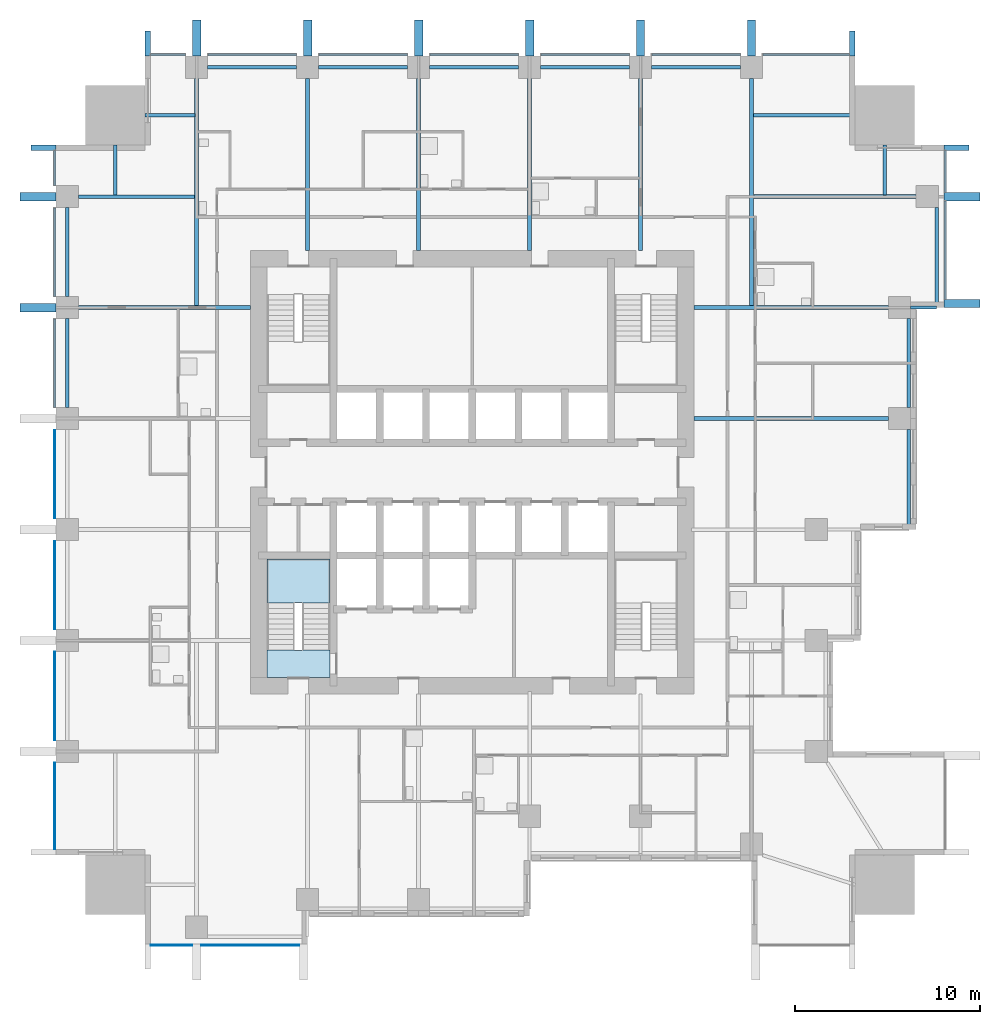
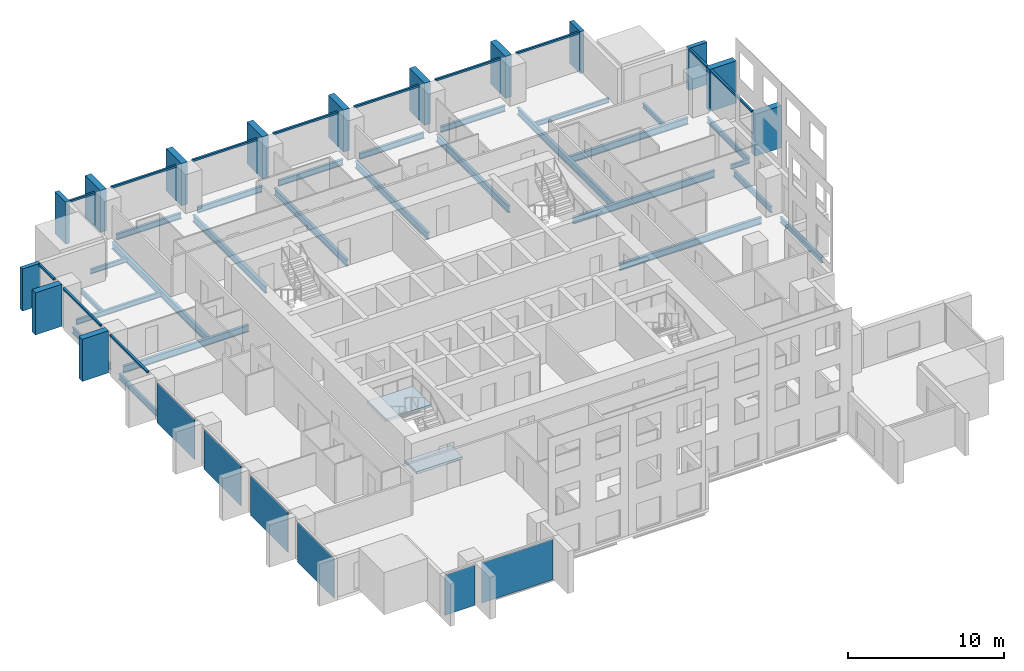
# One storey, part 2 of 11: 26 beams, 26 members, 6 plates, 2 slabs, 5 elements without a shape of their own.
"""IFC4 building model written with IfcOpenShell, lengths in metres."""

from ifc_helpers import new_model, si_unit, direction, frame, origin, origin_2d, place, context, subcontext, project, spatial, polyline, rectangle, i_section, outline, extrude, material, layer, layer_set, material_profile, profile_set, type_object, element, aggregate, save


model = new_model("IFC4")

# Units and contexts
model_context = context("Model", 3, precision=1e-05, world=origin(), true_north=direction((0.0, 1.0)))
body_context = subcontext(model_context, "Body", "Model", "MODEL_VIEW")
ifc_project = project(units=[si_unit("LENGTHUNIT", "METRE"), si_unit("AREAUNIT", "SQUARE_METRE"), si_unit("VOLUMEUNIT", "CUBIC_METRE"), si_unit("PLANEANGLEUNIT", "RADIAN"), si_unit("MASSUNIT", "GRAM", prefix="KILO")], contexts=[model_context])

# Site, building, storey
site_placement = place(None, origin())
site = spatial("IfcSite", under=ifc_project, at=site_placement, CompositionType="ELEMENT")
building_placement = place(site_placement, origin())
building = spatial("IfcBuilding", under=site, at=building_placement, Name="Amberfall Residences", CompositionType="ELEMENT")
storey_placement = place(building_placement, frame((0.0, 0.0, 33.39990234375)))
storey = spatial("IfcBuildingStorey", under=building, at=storey_placement, Name="L08", CompositionType="ELEMENT", Elevation=33.39990234375)

# Curtain wall, members
ifc_material_1 = material(Name="Bronze anodised aluminium and glass", Category="aluminium")
curtain_wall_type = type_object("IfcCurtainWallType", Name="Curtain wall CW1 tower unit", PredefinedType="USERDEFINED", material=ifc_material_1)
curtain_wall_1_placement = place(storey_placement, origin())
curtain_wall_1 = element("IfcCurtainWall", 1, at=curtain_wall_1_placement, inside=storey, type_object=curtain_wall_type, Name="Curtain wall L08 E E10", ObjectType="UNITISED CURTAIN WALL", PredefinedType="USERDEFINED")
ifc_material_2 = material(Name="Bronze anodised aluminium", Category="aluminium")
ifc_material_profile_1 = material_profile(ifc_material_2, rectangle(XDim=0.14990234375, YDim=0.14990234375, at=origin_2d()), Name="CW1 transom 150 x 150 bronze")
ifc_profile_set_1 = profile_set([ifc_material_profile_1], Name="Bronze anodised aluminium")
member_type_1 = type_object("IfcMemberType", Name="CW1 transom 150 x 150 bronze", PredefinedType="USERDEFINED", material=ifc_profile_set_1)
member_1_placement = place(storey_placement, frame((100.074951171875, 54.85009765625, 2.97509765625), z_axis=(0.0, 1.0, 0.0), x_axis=(-1.0, 0.0, 0.0)))
member_1 = element("IfcMember", 2, at=member_1_placement, type_object=member_type_1, Name="CW1 transom 1.1", ObjectType="TRANSOM", PredefinedType="USERDEFINED", context=body_context, shape_type="SweptSolid", body=[
    extrude(rectangle(XDim=0.14990234375, YDim=0.14990234375, at=origin_2d()), origin(), (0.0, 0.0, 1.0), 5.324951171875),
])
member_2_placement = place(storey_placement, frame((100.074951171875, 60.625, 2.97509765625), z_axis=(0.0, 1.0, 0.0), x_axis=(-1.0, 0.0, 0.0)))
member_2 = element("IfcMember", 3, at=member_2_placement, type_object=member_type_1, Name="CW1 transom 2.1", ObjectType="TRANSOM", PredefinedType="USERDEFINED", context=body_context, shape_type="SweptSolid", body=[
    extrude(rectangle(XDim=0.14990234375, YDim=0.14990234375, at=origin_2d()), origin(), (0.0, 0.0, 1.0), 2.27490234375),
])

curtain_wall_2_placement = place(storey_placement, origin())
curtain_wall_2 = element("IfcCurtainWall", 4, at=curtain_wall_2_placement, inside=storey, type_object=curtain_wall_type, Name="Curtain wall L08 N N1", ObjectType="UNITISED CURTAIN WALL", PredefinedType="USERDEFINED")
member_3_placement = place(storey_placement, frame((94.89990234375, 68.074951171875, 2.97509765625), z_axis=(-1.0, 0.0, 0.0), x_axis=(0.0, -1.0, 0.0)))
member_3 = element("IfcMember", 5, at=member_3_placement, type_object=member_type_1, Name="CW1 transom 1.1", ObjectType="TRANSOM", PredefinedType="USERDEFINED", context=body_context, shape_type="SweptSolid", body=[
    extrude(rectangle(XDim=0.14990234375, YDim=0.14990234375, at=origin_2d()), origin(), (0.0, 0.0, 1.0), 4.69482421875),
])
member_4_placement = place(storey_placement, frame((88.9951171875, 68.074951171875, 2.97509765625), z_axis=(-1.0, 0.0, 0.0), x_axis=(0.0, -1.0, 0.0)))
member_4 = element("IfcMember", 6, at=member_4_placement, type_object=member_type_1, Name="CW1 transom 2.1", ObjectType="TRANSOM", PredefinedType="USERDEFINED", context=body_context, shape_type="SweptSolid", body=[
    extrude(rectangle(XDim=0.14990234375, YDim=0.14990234375, at=origin_2d()), origin(), (0.0, 0.0, 1.0), 4.7900390625),
])
member_5_placement = place(storey_placement, frame((82.9951171875, 68.074951171875, 2.97509765625), z_axis=(-1.0, 0.0, 0.0), x_axis=(0.0, -1.0, 0.0)))
member_5 = element("IfcMember", 7, at=member_5_placement, type_object=member_type_1, Name="CW1 transom 3.1", ObjectType="TRANSOM", PredefinedType="USERDEFINED", context=body_context, shape_type="SweptSolid", body=[
    extrude(rectangle(XDim=0.14990234375, YDim=0.14990234375, at=origin_2d()), origin(), (0.0, 0.0, 1.0), 4.7900390625),
])
member_6_placement = place(storey_placement, frame((76.9951171875, 68.074951171875, 2.97509765625), z_axis=(-1.0, 0.0, 0.0), x_axis=(0.0, -1.0, 0.0)))
member_6 = element("IfcMember", 8, at=member_6_placement, type_object=member_type_1, Name="CW1 transom 4.1", ObjectType="TRANSOM", PredefinedType="USERDEFINED", context=body_context, shape_type="SweptSolid", body=[
    extrude(rectangle(XDim=0.14990234375, YDim=0.14990234375, at=origin_2d()), origin(), (0.0, 0.0, 1.0), 4.7900390625),
])
member_7_placement = place(storey_placement, frame((70.9951171875, 68.074951171875, 2.97509765625), z_axis=(-1.0, 0.0, 0.0), x_axis=(0.0, -1.0, 0.0)))
member_7 = element("IfcMember", 9, at=member_7_placement, type_object=member_type_1, Name="CW1 transom 5.1", ObjectType="TRANSOM", PredefinedType="USERDEFINED", context=body_context, shape_type="SweptSolid", body=[
    extrude(rectangle(XDim=0.14990234375, YDim=0.14990234375, at=origin_2d()), origin(), (0.0, 0.0, 1.0), 4.7900390625),
])
member_8_placement = place(storey_placement, frame((64.9951171875, 68.074951171875, 2.97509765625), z_axis=(-1.0, 0.0, 0.0), x_axis=(0.0, -1.0, 0.0)))
member_8 = element("IfcMember", 10, at=member_8_placement, type_object=member_type_1, Name="CW1 transom 6.1", ObjectType="TRANSOM", PredefinedType="USERDEFINED", context=body_context, shape_type="SweptSolid", body=[
    extrude(rectangle(XDim=0.14990234375, YDim=0.14990234375, at=origin_2d()), origin(), (0.0, 0.0, 1.0), 4.7900390625),
])
member_9_placement = place(storey_placement, frame((58.9951171875, 68.074951171875, 2.97509765625), z_axis=(-1.0, 0.0, 0.0), x_axis=(0.0, -1.0, 0.0)))
member_9 = element("IfcMember", 11, at=member_9_placement, type_object=member_type_1, Name="CW1 transom 7.1", ObjectType="TRANSOM", PredefinedType="USERDEFINED", context=body_context, shape_type="SweptSolid", body=[
    extrude(rectangle(XDim=0.14990234375, YDim=0.14990234375, at=origin_2d()), origin(), (0.0, 0.0, 1.0), 1.89501953125),
])

curtain_wall_3_placement = place(storey_placement, origin())
curtain_wall_3 = element("IfcCurtainWall", 12, at=curtain_wall_3_placement, inside=storey, type_object=curtain_wall_type, Name="Curtain wall L08 W W1", ObjectType="UNITISED CURTAIN WALL", PredefinedType="USERDEFINED")
member_10_placement = place(storey_placement, frame((51.925048828125, 62.89990234375, 2.97509765625), z_axis=(0.0, -1.0, 0.0), x_axis=(1.0, 0.0, 0.0)))
member_10 = element("IfcMember", 13, at=member_10_placement, type_object=member_type_1, Name="CW1 transom 1.1", ObjectType="TRANSOM", PredefinedType="USERDEFINED", context=body_context, shape_type="SweptSolid", body=[
    extrude(rectangle(XDim=0.14990234375, YDim=0.14990234375, at=origin_2d()), origin(), (0.0, 0.0, 1.0), 1.89501953125),
])
member_11_placement = place(storey_placement, frame((51.925048828125, 59.794921875, 2.97509765625), z_axis=(0.0, -1.0, 0.0), x_axis=(1.0, 0.0, 0.0)))
member_11 = element("IfcMember", 14, at=member_11_placement, type_object=member_type_1, Name="CW1 transom 2.1", ObjectType="TRANSOM", PredefinedType="USERDEFINED", context=body_context, shape_type="SweptSolid", body=[
    extrude(rectangle(XDim=0.14990234375, YDim=0.14990234375, at=origin_2d()), origin(), (0.0, 0.0, 1.0), 4.7900390625),
])
member_12_placement = place(storey_placement, frame((51.925048828125, 53.794921875, 2.97509765625), z_axis=(0.0, -1.0, 0.0), x_axis=(1.0, 0.0, 0.0)))
member_12 = element("IfcMember", 15, at=member_12_placement, type_object=member_type_1, Name="CW1 transom 3.1", ObjectType="TRANSOM", PredefinedType="USERDEFINED", context=body_context, shape_type="SweptSolid", body=[
    extrude(rectangle(XDim=0.14990234375, YDim=0.14990234375, at=origin_2d()), origin(), (0.0, 0.0, 1.0), 4.7900390625),
])

# Beam
ifc_material_3 = material(Name="Steel S355", Category="steel")
ifc_material_profile_2 = material_profile(ifc_material_3, i_section(OverallWidth=0.171142578125, OverallDepth=0.351318359375, WebThickness=0.007080078125, FlangeThickness=0.009765625, FilletRadius=0.01025390625, at=origin_2d()), Name="UB 356x171x45")
ifc_profile_set_2 = profile_set([ifc_material_profile_2], Name="Steel S355")
beam_type_1 = type_object("IfcBeamType", Name="Cantilever girder UB 356x171x45", PredefinedType="BEAM", material=ifc_profile_set_2)
beam_1_placement = place(storey_placement, frame((98.199951171875, 54.39990234375, -0.425537109375), z_axis=(1.0, 0.0, 0.0), x_axis=(0.0, 1.0, 0.0)))
element("IfcBeam", 16, at=beam_1_placement, inside=storey, type_object=beam_type_1, Name="Cantilever girder B8 L08 22", PredefinedType="BEAM", context=body_context, shape_type="SweptSolid", body=[
    extrude(i_section(OverallWidth=0.171142578125, OverallDepth=0.351318359375, WebThickness=0.007080078125, FlangeThickness=0.009765625, FilletRadius=0.01025390625, at=origin_2d()), origin(), (0.0, 0.0, 1.0), 1.400146484375),
])

# Member
ifc_material_profile_3 = material_profile(ifc_material_2, rectangle(XDim=1.35009765625, YDim=0.300048828125, at=origin_2d()), Name="Corner fin 300 x 1350 bronze")
ifc_profile_set_3 = profile_set([ifc_material_profile_3], Name="Bronze anodised aluminium")
member_type_2 = type_object("IfcMemberType", Name="Corner fin 300 x 1350 bronze", PredefinedType="MULLION", material=ifc_profile_set_3)
member_13_placement = place(storey_placement, frame((100.675048828125, 63.050048828125, -0.25), z_axis=(0.0, 0.0, 1.0), x_axis=(-1.0, 0.0, 0.0)))
member_13 = element("IfcMember", 17, at=member_13_placement, type_object=member_type_2, Name="CW FIN 3", PredefinedType="MULLION", context=body_context, shape_type="SweptSolid", body=[
    extrude(rectangle(XDim=1.35009765625, YDim=0.300048828125, at=origin_2d()), origin(), (0.0, 0.0, 1.0), 3.300048828125),
])

member_14_placement = place(storey_placement, frame((95.050048828125, 68.675048828125, -0.25), z_axis=(0.0, 0.0, 1.0), x_axis=(0.0, -1.0, 0.0)))
member_14 = element("IfcMember", 18, at=member_14_placement, type_object=member_type_2, Name="CW FIN 1", PredefinedType="MULLION", context=body_context, shape_type="SweptSolid", body=[
    extrude(rectangle(XDim=1.35009765625, YDim=0.300048828125, at=origin_2d()), origin(), (0.0, 0.0, 1.0), 3.300048828125),
])

member_15_placement = place(storey_placement, frame((56.949951171875, 68.675048828125, -0.25), z_axis=(0.0, 0.0, 1.0), x_axis=(0.0, -1.0, 0.0)))
member_15 = element("IfcMember", 19, at=member_15_placement, type_object=member_type_2, Name="CW FIN 8", PredefinedType="MULLION", context=body_context, shape_type="SweptSolid", body=[
    extrude(rectangle(XDim=1.35009765625, YDim=0.300048828125, at=origin_2d()), origin(), (0.0, 0.0, 1.0), 3.300048828125),
])

member_16_placement = place(storey_placement, frame((51.324951171875, 63.050048828125, -0.25), z_axis=(0.0, 0.0, 1.0), x_axis=(1.0, 0.0, 0.0)))
member_16 = element("IfcMember", 20, at=member_16_placement, type_object=member_type_2, Name="CW FIN 1", PredefinedType="MULLION", context=body_context, shape_type="SweptSolid", body=[
    extrude(rectangle(XDim=1.35009765625, YDim=0.300048828125, at=origin_2d()), origin(), (0.0, 0.0, 1.0), 3.300048828125),
])

# Beams
ifc_material_profile_4 = material_profile(ifc_material_3, i_section(OverallWidth=0.18994140625, OverallDepth=0.453369140625, WebThickness=0.008544921875, FlangeThickness=0.0126953125, FilletRadius=0.01025390625, at=origin_2d()), Name="UB 457x191x67")
ifc_profile_set_4 = profile_set([ifc_material_profile_4], Name="Steel S355")
beam_type_2 = type_object("IfcBeamType", Name="Edge beam UB 457x191x67", PredefinedType="SPANDREL", material=ifc_profile_set_4)
beam_2_placement = place(storey_placement, frame((98.10009765625, 42.47998046875, -0.4765625), z_axis=(0.0, 1.0, 0.0), x_axis=(-1.0, 0.0, 0.0)))
element("IfcBeam", 21, at=beam_2_placement, inside=storey, type_object=beam_type_2, Name="Edge beam B1 L08 17", PredefinedType="SPANDREL", context=body_context, shape_type="SweptSolid", body=[
    extrude(i_section(OverallWidth=0.18994140625, OverallDepth=0.453369140625, WebThickness=0.008544921875, FlangeThickness=0.0126953125, FilletRadius=0.01025390625, at=origin_2d()), origin(), (0.0, 0.0, 1.0), 5.320068359375),
])
beam_3_placement = place(storey_placement, frame((98.10009765625, 49.0, -0.4765625), z_axis=(0.0, 1.0, 0.0), x_axis=(-1.0, 0.0, 0.0)))
element("IfcBeam", 22, at=beam_3_placement, inside=storey, type_object=beam_type_2, Name="Edge beam B1 L08 18", PredefinedType="SPANDREL", context=body_context, shape_type="SweptSolid", body=[
    extrude(i_section(OverallWidth=0.18994140625, OverallDepth=0.453369140625, WebThickness=0.008544921875, FlangeThickness=0.0126953125, FilletRadius=0.01025390625, at=origin_2d()), origin(), (0.0, 0.0, 1.0), 4.800048828125),
])
beam_4_placement = place(storey_placement, frame((99.60009765625, 54.47998046875, -0.4765625), z_axis=(0.0, 1.0, 0.0), x_axis=(-1.0, 0.0, 0.0)))
element("IfcBeam", 23, at=beam_4_placement, inside=storey, type_object=beam_type_2, Name="Edge beam B1 L08 19", PredefinedType="SPANDREL", context=body_context, shape_type="SweptSolid", body=[
    extrude(i_section(OverallWidth=0.18994140625, OverallDepth=0.453369140625, WebThickness=0.008544921875, FlangeThickness=0.0126953125, FilletRadius=0.01025390625, at=origin_2d()), origin(), (0.0, 0.0, 1.0), 5.320068359375),
])
for number, where, z_axis, x_axis, name in (
    (24, (60.199951171875, 67.39990234375, -0.4765625), (1.0, 0.0, 0.0), (0.0, 1.0, 0.0), "Edge beam B1 L08 29"),
    (25, (66.199951171875, 67.39990234375, -0.4765625), (1.0, 0.0, 0.0), (0.0, 1.0, 0.0), "Edge beam B1 L08 30"),
    (26, (72.199951171875, 67.39990234375, -0.4765625), (1.0, 0.0, 0.0), (0.0, 1.0, 0.0), "Edge beam B1 L08 31"),
    (27, (78.199951171875, 67.39990234375, -0.4765625), (1.0, 0.0, 0.0), (0.0, 1.0, 0.0), "Edge beam B1 L08 32"),
    (28, (84.199951171875, 67.39990234375, -0.4765625), (1.0, 0.0, 0.0), (0.0, 1.0, 0.0), "Edge beam B1 L08 33"),
    (29, (52.60009765625, 49.0, -0.4765625), (0.0, 1.0, 0.0), (-1.0, 0.0, 0.0), "Edge beam B1 L08 43"),
    (30, (52.60009765625, 55.0, -0.4765625), (0.0, 1.0, 0.0), (-1.0, 0.0, 0.0), "Edge beam B1 L08 44"),
):
    element("IfcBeam", number, at=place(storey_placement, frame(where, z_axis=z_axis, x_axis=x_axis)), inside=storey, type_object=beam_type_2, Name=name, PredefinedType="SPANDREL", context=body_context, shape_type="SweptSolid", body=[
        extrude(i_section(OverallWidth=0.18994140625, OverallDepth=0.453369140625, WebThickness=0.008544921875, FlangeThickness=0.0126953125, FilletRadius=0.01025390625, at=origin_2d()), origin(), (0.0, 0.0, 1.0), 4.800048828125),
    ])

# Member
ifc_material_profile_5 = material_profile(ifc_material_2, rectangle(XDim=1.949951171875, YDim=0.449951171875, at=origin_2d()), Name="Fin 450 x 1950 bronze")
ifc_profile_set_5 = profile_set([ifc_material_profile_5], Name="Bronze anodised aluminium")
member_type_3 = type_object("IfcMemberType", Name="Fin 450 x 1950 bronze", PredefinedType="MULLION", material=ifc_profile_set_5)
member_17_placement = place(storey_placement, frame((100.97509765625, 54.625, -0.25), z_axis=(0.0, 0.0, 1.0), x_axis=(-1.0, 0.0, 0.0)))
member_17 = element("IfcMember", 31, at=member_17_placement, type_object=member_type_3, Name="CW FIN 1", PredefinedType="MULLION", context=body_context, shape_type="SweptSolid", body=[
    extrude(rectangle(XDim=1.949951171875, YDim=0.449951171875, at=origin_2d()), origin(), (0.0, 0.0, 1.0), 3.300048828125),
])

member_18_placement = place(storey_placement, frame((100.97509765625, 60.39990234375, -0.25), z_axis=(0.0, 0.0, 1.0), x_axis=(-1.0, 0.0, 0.0)))
member_18 = element("IfcMember", 32, at=member_18_placement, type_object=member_type_3, Name="CW FIN 2", PredefinedType="MULLION", context=body_context, shape_type="SweptSolid", body=[
    extrude(rectangle(XDim=1.949951171875, YDim=0.449951171875, at=origin_2d()), origin(), (0.0, 0.0, 1.0), 3.300048828125),
])

aggregate(curtain_wall_1, [member_17, member_18, member_13, member_1, member_2])

member_19_placement = place(storey_placement, frame((89.60009765625, 68.97509765625, -0.25), z_axis=(0.0, 0.0, 1.0), x_axis=(0.0, -1.0, 0.0)))
member_19 = element("IfcMember", 33, at=member_19_placement, type_object=member_type_3, Name="CW FIN 2", PredefinedType="MULLION", context=body_context, shape_type="SweptSolid", body=[
    extrude(rectangle(XDim=1.949951171875, YDim=0.449951171875, at=origin_2d()), origin(), (0.0, 0.0, 1.0), 3.300048828125),
])

member_20_placement = place(storey_placement, frame((83.60009765625, 68.97509765625, -0.25), z_axis=(0.0, 0.0, 1.0), x_axis=(0.0, -1.0, 0.0)))
member_20 = element("IfcMember", 34, at=member_20_placement, type_object=member_type_3, Name="CW FIN 3", PredefinedType="MULLION", context=body_context, shape_type="SweptSolid", body=[
    extrude(rectangle(XDim=1.949951171875, YDim=0.449951171875, at=origin_2d()), origin(), (0.0, 0.0, 1.0), 3.300048828125),
])

member_21_placement = place(storey_placement, frame((77.60009765625, 68.97509765625, -0.25), z_axis=(0.0, 0.0, 1.0), x_axis=(0.0, -1.0, 0.0)))
member_21 = element("IfcMember", 35, at=member_21_placement, type_object=member_type_3, Name="CW FIN 4", PredefinedType="MULLION", context=body_context, shape_type="SweptSolid", body=[
    extrude(rectangle(XDim=1.949951171875, YDim=0.449951171875, at=origin_2d()), origin(), (0.0, 0.0, 1.0), 3.300048828125),
])

member_22_placement = place(storey_placement, frame((71.60009765625, 68.97509765625, -0.25), z_axis=(0.0, 0.0, 1.0), x_axis=(0.0, -1.0, 0.0)))
member_22 = element("IfcMember", 36, at=member_22_placement, type_object=member_type_3, Name="CW FIN 5", PredefinedType="MULLION", context=body_context, shape_type="SweptSolid", body=[
    extrude(rectangle(XDim=1.949951171875, YDim=0.449951171875, at=origin_2d()), origin(), (0.0, 0.0, 1.0), 3.300048828125),
])

member_23_placement = place(storey_placement, frame((65.60009765625, 68.97509765625, -0.25), z_axis=(0.0, 0.0, 1.0), x_axis=(0.0, -1.0, 0.0)))
member_23 = element("IfcMember", 37, at=member_23_placement, type_object=member_type_3, Name="CW FIN 6", PredefinedType="MULLION", context=body_context, shape_type="SweptSolid", body=[
    extrude(rectangle(XDim=1.949951171875, YDim=0.449951171875, at=origin_2d()), origin(), (0.0, 0.0, 1.0), 3.300048828125),
])

member_24_placement = place(storey_placement, frame((59.60009765625, 68.97509765625, -0.25), z_axis=(0.0, 0.0, 1.0), x_axis=(0.0, -1.0, 0.0)))
member_24 = element("IfcMember", 38, at=member_24_placement, type_object=member_type_3, Name="CW FIN 7", PredefinedType="MULLION", context=body_context, shape_type="SweptSolid", body=[
    extrude(rectangle(XDim=1.949951171875, YDim=0.449951171875, at=origin_2d()), origin(), (0.0, 0.0, 1.0), 3.300048828125),
])

aggregate(curtain_wall_2, [member_14, member_19, member_20, member_21, member_22, member_23, member_24, member_15, member_3, member_4, member_5, member_6, member_7, member_8, member_9])

member_25_placement = place(storey_placement, frame((51.02490234375, 60.39990234375, -0.25), z_axis=(0.0, 0.0, 1.0), x_axis=(1.0, 0.0, 0.0)))
member_25 = element("IfcMember", 39, at=member_25_placement, type_object=member_type_3, Name="CW FIN 2", PredefinedType="MULLION", context=body_context, shape_type="SweptSolid", body=[
    extrude(rectangle(XDim=1.949951171875, YDim=0.449951171875, at=origin_2d()), origin(), (0.0, 0.0, 1.0), 3.300048828125),
])

member_26_placement = place(storey_placement, frame((51.02490234375, 54.39990234375, -0.25), z_axis=(0.0, 0.0, 1.0), x_axis=(1.0, 0.0, 0.0)))
member_26 = element("IfcMember", 40, at=member_26_placement, type_object=member_type_3, Name="CW FIN 3", PredefinedType="MULLION", context=body_context, shape_type="SweptSolid", body=[
    extrude(rectangle(XDim=1.949951171875, YDim=0.449951171875, at=origin_2d()), origin(), (0.0, 0.0, 1.0), 3.300048828125),
])

# Beams
ifc_material_profile_6 = material_profile(ifc_material_3, i_section(OverallWidth=0.177734375, OverallDepth=0.402587890625, WebThickness=0.0078125, FlangeThickness=0.010986328125, FilletRadius=0.01025390625, at=origin_2d()), Name="UB 406x178x54")
ifc_profile_set_6 = profile_set([ifc_material_profile_6], Name="Steel S355")
beam_type_3 = type_object("IfcBeamType", Name="Floor girder UB 406x178x54", PredefinedType="BEAM", material=ifc_profile_set_6)
beam_5_placement = place(storey_placement, frame((53.199951171875, 60.39990234375, -0.451171875), z_axis=(1.0, 0.0, 0.0), x_axis=(0.0, 1.0, 0.0)))
element("IfcBeam", 41, at=beam_5_placement, inside=storey, type_object=beam_type_3, Name="Floor girder B4 L08 50", PredefinedType="BEAM", context=body_context, shape_type="SweptSolid", body=[
    extrude(i_section(OverallWidth=0.177734375, OverallDepth=0.402587890625, WebThickness=0.0078125, FlangeThickness=0.010986328125, FilletRadius=0.01025390625, at=origin_2d()), origin(), (0.0, 0.0, 1.0), 6.280029296875),
])
ifc_material_profile_7 = material_profile(ifc_material_3, i_section(OverallWidth=0.210693359375, OverallDepth=0.53955078125, WebThickness=0.01171875, FlangeThickness=0.018798828125, FilletRadius=0.0126953125, at=origin_2d()), Name="UB 533x210x109")
ifc_profile_set_7 = profile_set([ifc_material_profile_7], Name="Steel S355")
beam_type_4 = type_object("IfcBeamType", Name="Floor girder UB 533x210x109", PredefinedType="BEAM", material=ifc_profile_set_7)
for number, where, z_axis, x_axis, name in (
    (42, (59.60009765625, 66.800048828125, -0.51953125), (0.0, -1.0, 0.0), (1.0, 0.0, 0.0), "Floor girder B2 L08 34"),
    (43, (89.60009765625, 66.800048828125, -0.51953125), (0.0, -1.0, 0.0), (1.0, 0.0, 0.0), "Floor girder B2 L08 39"),
):
    element("IfcBeam", number, at=place(storey_placement, frame(where, z_axis=z_axis, x_axis=x_axis)), inside=storey, type_object=beam_type_4, Name=name, PredefinedType="BEAM", context=body_context, shape_type="SweptSolid", body=[
        extrude(i_section(OverallWidth=0.210693359375, OverallDepth=0.53955078125, WebThickness=0.01171875, FlangeThickness=0.018798828125, FilletRadius=0.0126953125, at=origin_2d()), origin(), (0.0, 0.0, 1.0), 12.300537109375),
    ])
ifc_material_profile_8 = material_profile(ifc_material_3, i_section(OverallWidth=0.209228515625, OverallDepth=0.533203125, WebThickness=0.010009765625, FlangeThickness=0.015625, FilletRadius=0.0126953125, at=origin_2d()), Name="UB 533x210x92")
ifc_profile_set_8 = profile_set([ifc_material_profile_8], Name="Steel S355")
beam_type_5 = type_object("IfcBeamType", Name="Floor girder UB 533x210x92", PredefinedType="BEAM", material=ifc_profile_set_8)
for number, where, z_axis, x_axis, name in (
    (44, (97.0, 48.39990234375, -0.516357421875), (-1.0, 0.0, 0.0), (0.0, -1.0, 0.0), "Floor girder B3 L08 26"),
    (45, (97.0, 54.39990234375, -0.516357421875), (-1.0, 0.0, 0.0), (0.0, -1.0, 0.0), "Floor girder B3 L08 27"),
):
    element("IfcBeam", number, at=place(storey_placement, frame(where, z_axis=z_axis, x_axis=x_axis)), inside=storey, type_object=beam_type_5, Name=name, PredefinedType="BEAM", context=body_context, shape_type="SweptSolid", body=[
        extrude(i_section(OverallWidth=0.209228515625, OverallDepth=0.533203125, WebThickness=0.010009765625, FlangeThickness=0.015625, FilletRadius=0.0126953125, at=origin_2d()), origin(), (0.0, 0.0, 1.0), 10.5),
    ])
beam_6_placement = place(storey_placement, frame((98.5, 60.39990234375, -0.516357421875), z_axis=(-1.0, 0.0, 0.0), x_axis=(0.0, -1.0, 0.0)))
element("IfcBeam", 46, at=beam_6_placement, inside=storey, type_object=beam_type_5, Name="Floor girder B3 L08 28", PredefinedType="BEAM", context=body_context, shape_type="SweptSolid", body=[
    extrude(i_section(OverallWidth=0.209228515625, OverallDepth=0.533203125, WebThickness=0.010009765625, FlangeThickness=0.015625, FilletRadius=0.0126953125, at=origin_2d()), origin(), (0.0, 0.0, 1.0), 8.780029296875),
])
for number, where, z_axis, x_axis, name in (
    (47, (65.60009765625, 66.800048828125, -0.516357421875), (0.0, -1.0, 0.0), (1.0, 0.0, 0.0), "Floor girder B3 L08 35"),
    (48, (71.60009765625, 66.800048828125, -0.516357421875), (0.0, -1.0, 0.0), (1.0, 0.0, 0.0), "Floor girder B3 L08 36"),
    (49, (77.60009765625, 66.800048828125, -0.516357421875), (0.0, -1.0, 0.0), (1.0, 0.0, 0.0), "Floor girder B3 L08 37"),
    (50, (83.60009765625, 66.800048828125, -0.516357421875), (0.0, -1.0, 0.0), (1.0, 0.0, 0.0), "Floor girder B3 L08 38"),
    (51, (53.199951171875, 54.39990234375, -0.516357421875), (1.0, 0.0, 0.0), (0.0, 1.0, 0.0), "Floor girder B3 L08 49"),
):
    element("IfcBeam", number, at=place(storey_placement, frame(where, z_axis=z_axis, x_axis=x_axis)), inside=storey, type_object=beam_type_5, Name=name, PredefinedType="BEAM", context=body_context, shape_type="SweptSolid", body=[
        extrude(i_section(OverallWidth=0.209228515625, OverallDepth=0.533203125, WebThickness=0.010009765625, FlangeThickness=0.015625, FilletRadius=0.0126953125, at=origin_2d()), origin(), (0.0, 0.0, 1.0), 9.300048828125),
    ])
ifc_material_profile_9 = material_profile(ifc_material_3, i_section(OverallWidth=0.171142578125, OverallDepth=0.351318359375, WebThickness=0.007080078125, FlangeThickness=0.009765625, FilletRadius=0.01025390625, at=origin_2d()), Name="UB 356x171x45")
ifc_profile_set_9 = profile_set([ifc_material_profile_9], Name="Steel S355")
beam_type_6 = type_object("IfcBeamType", Name="Link beam UB 356x171x45", PredefinedType="BEAM", material=ifc_profile_set_9)
beam_7_placement = place(storey_placement, frame((95.199951171875, 64.800048828125, -0.425537109375), z_axis=(-1.0, 0.0, 0.0), x_axis=(0.0, -1.0, 0.0)))
element("IfcBeam", 52, at=beam_7_placement, inside=storey, type_object=beam_type_6, Name="Link beam B7 L08 55", PredefinedType="BEAM", context=body_context, shape_type="SweptSolid", body=[
    extrude(i_section(OverallWidth=0.171142578125, OverallDepth=0.351318359375, WebThickness=0.007080078125, FlangeThickness=0.009765625, FilletRadius=0.01025390625, at=origin_2d()), origin(), (0.0, 0.0, 1.0), 5.504638671875),
])
beam_8_placement = place(storey_placement, frame((96.800048828125, 63.199951171875, -0.425537109375), z_axis=(0.0, -1.0, 0.0), x_axis=(1.0, 0.0, 0.0)))
element("IfcBeam", 53, at=beam_8_placement, inside=storey, type_object=beam_type_6, Name="Link beam B7 L08 56", PredefinedType="BEAM", context=body_context, shape_type="SweptSolid", body=[
    extrude(i_section(OverallWidth=0.171142578125, OverallDepth=0.351318359375, WebThickness=0.007080078125, FlangeThickness=0.009765625, FilletRadius=0.01025390625, at=origin_2d()), origin(), (0.0, 0.0, 1.0), 2.705322265625),
])
beam_9_placement = place(storey_placement, frame((56.800048828125, 64.800048828125, -0.425537109375), z_axis=(1.0, 0.0, 0.0), x_axis=(0.0, 1.0, 0.0)))
element("IfcBeam", 54, at=beam_9_placement, inside=storey, type_object=beam_type_6, Name="Link beam B7 L08 57", PredefinedType="BEAM", context=body_context, shape_type="SweptSolid", body=[
    extrude(i_section(OverallWidth=0.171142578125, OverallDepth=0.351318359375, WebThickness=0.007080078125, FlangeThickness=0.009765625, FilletRadius=0.01025390625, at=origin_2d()), origin(), (0.0, 0.0, 1.0), 2.70458984375),
])
beam_10_placement = place(storey_placement, frame((55.199951171875, 63.199951171875, -0.425537109375), z_axis=(0.0, -1.0, 0.0), x_axis=(1.0, 0.0, 0.0)))
element("IfcBeam", 55, at=beam_10_placement, inside=storey, type_object=beam_type_6, Name="Link beam B7 L08 58", PredefinedType="BEAM", context=body_context, shape_type="SweptSolid", body=[
    extrude(i_section(OverallWidth=0.171142578125, OverallDepth=0.351318359375, WebThickness=0.007080078125, FlangeThickness=0.009765625, FilletRadius=0.01025390625, at=origin_2d()), origin(), (0.0, 0.0, 1.0), 2.720947265625),
])

# Curtain wall, plates
curtain_wall_4_placement = place(storey_placement, origin())
curtain_wall_4 = element("IfcCurtainWall", 56, at=curtain_wall_4_placement, inside=storey, type_object=curtain_wall_type, Name="Curtain wall L08 S S1", ObjectType="UNITISED CURTAIN WALL", PredefinedType="USERDEFINED")
ifc_material_4 = material(Name="Tinted double glazed unit", Category="glass")
ifc_layer_1 = layer(ifc_material_4, 0.035888671875)
ifc_layer_set_1 = layer_set([ifc_layer_1], Name="CW1 panel 36 glazing")
plate_type = type_object("IfcPlateType", Name="CW1 panel 36 glazing", PredefinedType="CURTAIN_PANEL", material=ifc_layer_set_1)
plate_1_placement = place(storey_placement, frame((58.237548828125, 19.925048828125, -0.249755859375), z_axis=(0.0, 0.0, 1.0), x_axis=(1.0, 0.0, 0.0)))
plate_1 = element("IfcPlate", 57, at=plate_1_placement, type_object=plate_type, Name="CW1 panel 1.1", PredefinedType="CURTAIN_PANEL", context=body_context, shape_type="SweptSolid", body=[
    extrude(rectangle(XDim=2.2509765625, YDim=0.035888671875, at=origin_2d()), origin(), (0.0, 0.0, 1.0), 3.14990234375),
])
plate_2_placement = place(storey_placement, frame((62.487548828125, 19.925048828125, -0.249755859375), z_axis=(0.0, 0.0, 1.0), x_axis=(1.0, 0.0, 0.0)))
plate_2 = element("IfcPlate", 58, at=plate_2_placement, type_object=plate_type, Name="CW1 panel 2.1", PredefinedType="CURTAIN_PANEL", context=body_context, shape_type="SweptSolid", body=[
    extrude(rectangle(XDim=5.301025390625, YDim=0.035888671875, at=origin_2d()), origin(), (0.0, 0.0, 1.0), 3.14990234375),
])
aggregate(curtain_wall_4, [plate_1, plate_2])

# Plate
plate_3_placement = place(storey_placement, frame((51.925048828125, 45.39990234375, -0.249755859375), z_axis=(0.0, 0.0, 1.0), x_axis=(0.0, -1.0, 0.0)))
plate_3 = element("IfcPlate", 59, at=plate_3_placement, type_object=plate_type, Name="CW1 panel 4.1", PredefinedType="CURTAIN_PANEL", context=body_context, shape_type="SweptSolid", body=[
    extrude(rectangle(XDim=4.76611328125, YDim=0.035888671875, at=origin_2d()), origin(), (0.0, 0.0, 1.0), 3.14990234375),
])

plate_4_placement = place(storey_placement, frame((51.925048828125, 39.39990234375, -0.249755859375), z_axis=(0.0, 0.0, 1.0), x_axis=(0.0, -1.0, 0.0)))
plate_4 = element("IfcPlate", 60, at=plate_4_placement, type_object=plate_type, Name="CW1 panel 5.1", PredefinedType="CURTAIN_PANEL", context=body_context, shape_type="SweptSolid", body=[
    extrude(rectangle(XDim=4.76611328125, YDim=0.035888671875, at=origin_2d()), origin(), (0.0, 0.0, 1.0), 3.14990234375),
])

plate_5_placement = place(storey_placement, frame((51.925048828125, 33.39990234375, -0.249755859375), z_axis=(0.0, 0.0, 1.0), x_axis=(0.0, -1.0, 0.0)))
plate_5 = element("IfcPlate", 61, at=plate_5_placement, type_object=plate_type, Name="CW1 panel 6.1", PredefinedType="CURTAIN_PANEL", context=body_context, shape_type="SweptSolid", body=[
    extrude(rectangle(XDim=4.76611328125, YDim=0.035888671875, at=origin_2d()), origin(), (0.0, 0.0, 1.0), 3.14990234375),
])

plate_6_placement = place(storey_placement, frame((51.925048828125, 27.447509765625, -0.249755859375), z_axis=(0.0, 0.0, 1.0), x_axis=(0.0, -1.0, 0.0)))
plate_6 = element("IfcPlate", 62, at=plate_6_placement, type_object=plate_type, Name="CW1 panel 7.1", PredefinedType="CURTAIN_PANEL", context=body_context, shape_type="SweptSolid", body=[
    extrude(rectangle(XDim=4.6708984375, YDim=0.035888671875, at=origin_2d()), origin(), (0.0, 0.0, 1.0), 3.14990234375),
])

aggregate(curtain_wall_3, [member_16, member_25, member_26, member_10, member_11, member_12, plate_3, plate_4, plate_5, plate_6])

# Stair, slabs
ifc_material_5 = material(Name="Concrete C40", Category="concrete")
stair_type = type_object("IfcStairType", Name="Exit stair 20 risers 165.0 mm", PredefinedType="HALF_TURN_STAIR", material=ifc_material_5)
stair_placement = place(storey_placement, origin())
stair = element("IfcStair", 63, at=stair_placement, inside=storey, type_object=stair_type, Name="L08 Exit stair 1", PredefinedType="HALF_TURN_STAIR")
ifc_layer_2 = layer(ifc_material_5, 0.199951171875)
ifc_layer_set_2 = layer_set([ifc_layer_2], Name="Stair landing 200")
slab_type = type_object("IfcSlabType", Name="Stair landing 200", PredefinedType="LANDING", material=ifc_layer_set_2)
slab_1_placement = place(storey_placement, frame((0.0, 0.0, 1.4501953125)))
slab_1 = element("IfcSlab", 64, at=slab_1_placement, type_object=slab_type, Name="ST3 landing 1", PredefinedType="LANDING", context=body_context, shape_type="SweptSolid", body=[
    extrude(outline(polyline([(66.800048828125, 38.419921875), (66.800048828125, 40.800048828125), (63.39990234375, 40.800048828125), (63.39990234375, 38.419921875), (66.800048828125, 38.419921875)])), origin(), (0.0, 0.0, 1.0), 0.199951171875),
])
slab_2_placement = place(storey_placement, frame((0.0, 0.0, -0.199951171875)))
slab_2 = element("IfcSlab", 65, at=slab_2_placement, type_object=slab_type, Name="ST3 landing 2", PredefinedType="LANDING", context=body_context, shape_type="SweptSolid", body=[
    extrude(outline(polyline([(66.800048828125, 34.39990234375), (66.800048828125, 35.89990234375), (63.39990234375, 35.89990234375), (63.39990234375, 34.39990234375), (66.800048828125, 34.39990234375)])), origin(), (0.0, 0.0, 1.0), 0.199951171875),
])
aggregate(stair, [slab_1, slab_2])

save(model, "model.ifc")
